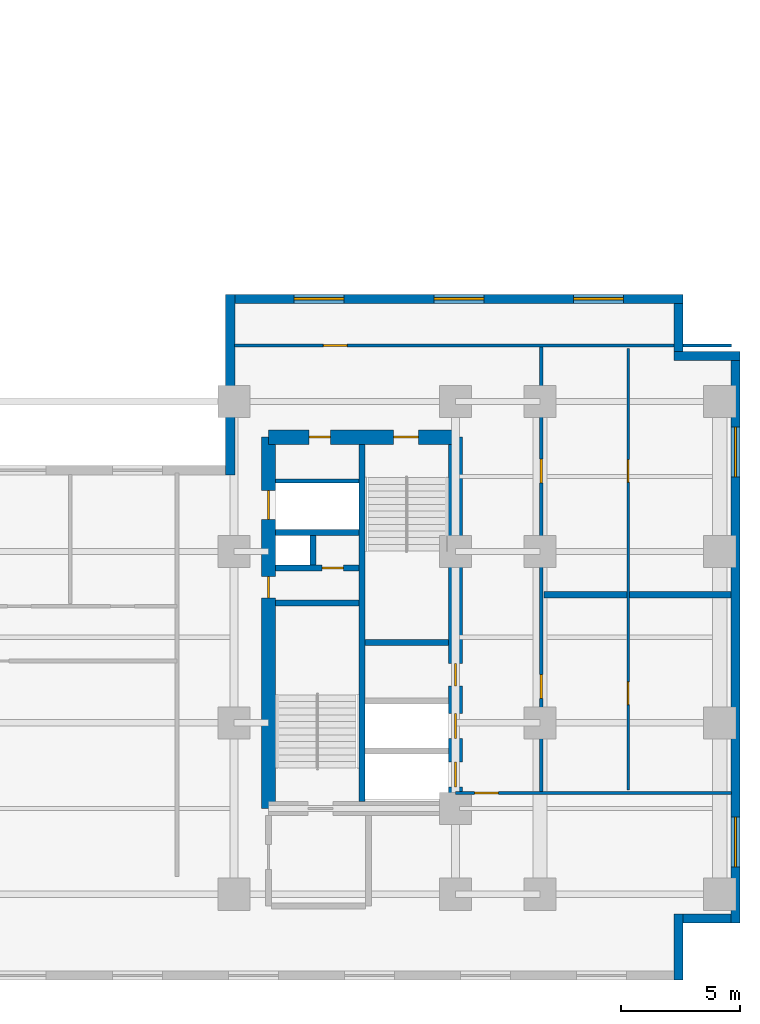
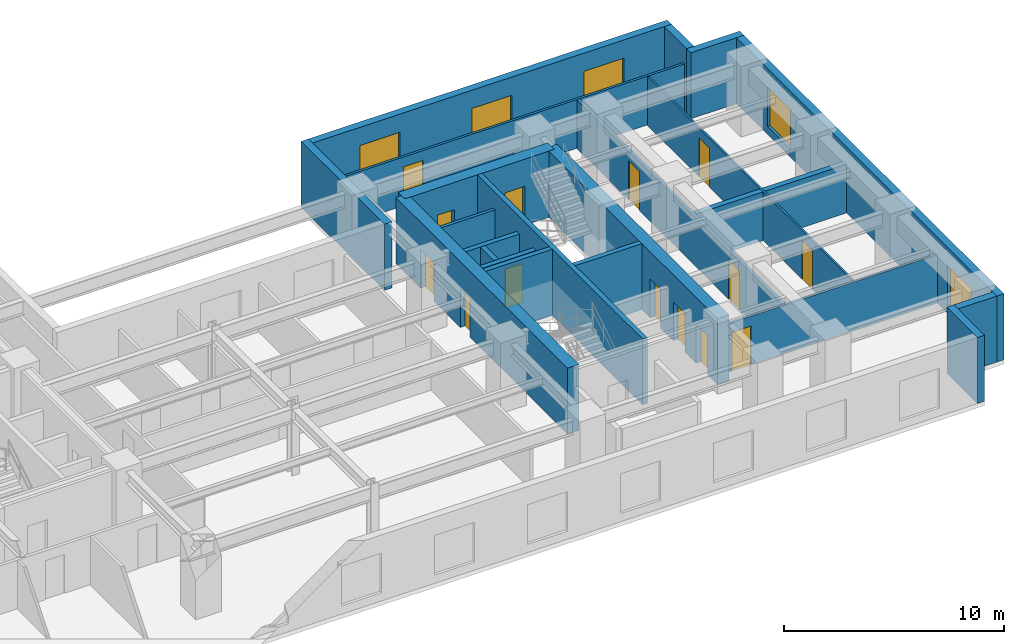
# One storey, part 5 of 9: 22 walls, 14 doors, 5 windows, 19 openings.
"""IFC4 building model written with IfcOpenShell, lengths in metres."""

from ifc_helpers import new_model, entity, si_unit, converted_unit, direction, frame, origin_with_axes, origin_2d_with_axis, place, context, subcontext, project, spatial, polyline, rectangle, outline, extrude, material, layer, layer_set, type_object, element, fill, save


model = new_model("IFC4")

# Units and contexts
model_context = context("Model", 3, precision=1e-05, world=origin_with_axes(), true_north=direction((0.0, 1.0)))
body_context = subcontext(model_context, "Body", "Model", "MODEL_VIEW")
ifc_project = project(units=[si_unit("LENGTHUNIT", "METRE"), si_unit("AREAUNIT", "SQUARE_METRE"), si_unit("VOLUMEUNIT", "CUBIC_METRE"), converted_unit("PLANEANGLEUNIT", "DEGREE", entity("IfcPlaneAngleMeasure", 0.017453292519943295), si_unit("PLANEANGLEUNIT", "RADIAN"), dimensions=[0, 0, 0, 0, 0, 0, 0]), si_unit("MASSUNIT", "GRAM", prefix="KILO"), si_unit("THERMODYNAMICTEMPERATUREUNIT", "KELVIN")], contexts=[model_context])

# Site, building, storey
site_placement = place(None, origin_with_axes())
site = spatial("IfcSite", under=ifc_project, at=site_placement, CompositionType="ELEMENT")
building_placement = place(site_placement, origin_with_axes())
building = spatial("IfcBuilding", under=site, at=building_placement, Name="Varnlund Millrace Tower", CompositionType="ELEMENT")
storey_placement = place(building_placement, frame((0.0, 0.0, 71.7), z_axis=(0.0, 0.0, 1.0), x_axis=(1.0, 0.0, 0.0)))
storey = spatial("IfcBuildingStorey", under=building, at=storey_placement, Name="L17", CompositionType="ELEMENT", Elevation=71.7)

# Wall, openings, doors
ifc_material_1 = material(Name="Concrete C80/95", Category="concrete")
ifc_layer_1 = layer(ifc_material_1, 0.6, Name="Concrete C80/95")
ifc_layer_set_1 = layer_set([ifc_layer_1], Name="Concrete C80/95")
wall_type_1 = type_object("IfcWallType", Name="Type-CoreWall-Shear-600-C80", PredefinedType="SHEAR", material=ifc_layer_set_1)
wall_1_placement = place(storey_placement, frame((40.2, 7.2, 0.0), z_axis=(0.0, 0.0, 1.0), x_axis=(0.0, 1.0, 0.0)))
wall_1 = element("IfcWall", 1, at=wall_1_placement, inside=storey, type_object=wall_type_1, Name="Type-CoreWall-Shear-600-C80", PredefinedType="SHEAR", context=body_context, shape_type="SweptSolid", body=[
    extrude(outline(polyline([(0.0, -0.3), (15.6, -0.3), (15.6, 0.3), (0.0, 0.3), (0.0, -0.3)])), origin_with_axes(), (0.0, 0.0, 1.0), 3.66),
])
opening_1_placement = place(wall_1_placement, frame((12.75, 0.0, 0.0), z_axis=(0.0, 0.0, 1.0), x_axis=(1.0, 0.0, 0.0)))
opening_1 = element("IfcOpeningElement", 2, at=opening_1_placement, cuts=wall_1, Name="Opening L17:LD-SRV2", PredefinedType="OPENING", context=body_context, shape_type="SweptSolid", body=[
    extrude(rectangle(XDim=1.2, YDim=0.62, at=origin_2d_with_axis()), origin_with_axes(), (0.0, 0.0, 1.0), 2.15),
])
opening_2_placement = place(wall_1_placement, frame((9.3, 0.0, 0.0), z_axis=(0.0, 0.0, 1.0), x_axis=(1.0, 0.0, 0.0)))
opening_2 = element("IfcOpeningElement", 3, at=opening_2_placement, cuts=wall_1, Name="Opening L17:DR-CB-JAN", PredefinedType="OPENING", context=body_context, shape_type="SweptSolid", body=[
    extrude(rectangle(XDim=0.9, YDim=0.62, at=origin_2d_with_axis()), origin_with_axes(), (0.0, 0.0, 1.0), 2.15),
])
ifc_material_2 = material(Name="Fire-rated hollow steel service closet door", Category="steel")
door_type_1 = type_object("IfcDoorType", Name="Type-FireDoor-Closet-900X2150", OperationType="NOTDEFINED", PredefinedType="DOOR", material=ifc_material_2)
door_1_placement = place(wall_1_placement, frame((9.3, 0.0, 0.0), z_axis=(0.0, 0.0, 1.0), x_axis=(1.0, 0.0, 0.0)))
door_1 = element("IfcDoor", 4, at=door_1_placement, inside=storey, type_object=door_type_1, Name="Type-FireDoor-Closet-900X2150", OperationType="SINGLE_SWING_RIGHT", OverallHeight=2.15, OverallWidth=0.9, PredefinedType="DOOR", context=body_context, shape_type="SweptSolid", body=[
    extrude(rectangle(XDim=0.9, YDim=0.09, at=origin_2d_with_axis()), origin_with_axes(), (0.0, 0.0, 1.0), 2.15),
])
fill(opening_2, door_1)
ifc_material_3 = material(Name="Heavy-duty freight sliding landing door")
door_type_2 = type_object("IfcDoorType", Name="Type-LiftLandingDoor-Service-1200X2150", OperationType="NOTDEFINED", PredefinedType="DOOR", material=ifc_material_3)
door_2_placement = place(wall_1_placement, frame((12.75, 0.0, 0.0), z_axis=(0.0, 0.0, 1.0), x_axis=(1.0, 0.0, 0.0)))
door_2 = element("IfcDoor", 5, at=door_2_placement, inside=storey, type_object=door_type_2, Name="Type-LiftLandingDoor-Service-1200X2150", OperationType="DOUBLE_DOOR_SLIDING", OverallHeight=2.15, OverallWidth=1.2, PredefinedType="DOOR", context=body_context, shape_type="SweptSolid", body=[
    extrude(rectangle(XDim=1.2, YDim=0.09, at=origin_2d_with_axis()), origin_with_axes(), (0.0, 0.0, 1.0), 2.15),
])
fill(opening_1, door_2)

wall_2_placement = place(storey_placement, frame((40.2, 22.8, 0.0), z_axis=(0.0, 0.0, 1.0), x_axis=(1.0, 0.0, 0.0)))
wall_2 = element("IfcWall", 6, at=wall_2_placement, inside=storey, type_object=wall_type_1, Name="Type-CoreWall-Shear-600-C80", PredefinedType="SHEAR", context=body_context, shape_type="SweptSolid", body=[
    extrude(outline(polyline([(0.0, -0.3), (7.85, -0.3), (7.85, 0.3), (0.0, 0.3), (0.0, -0.3)])), origin_with_axes(), (0.0, 0.0, 1.0), 3.66),
])
opening_3_placement = place(wall_2_placement, frame((5.775, 0.0, 0.0), z_axis=(0.0, 0.0, 1.0), x_axis=(1.0, 0.0, 0.0)))
opening_3 = element("IfcOpeningElement", 7, at=opening_3_placement, cuts=wall_2, Name="Opening L17:DR-STB2", PredefinedType="OPENING", context=body_context, shape_type="SweptSolid", body=[
    extrude(rectangle(XDim=1.05, YDim=0.62, at=origin_2d_with_axis()), origin_with_axes(), (0.0, 0.0, 1.0), 2.15),
])
opening_4_placement = place(wall_2_placement, frame((2.15, 0.0, 0.0), z_axis=(0.0, 0.0, 1.0), x_axis=(1.0, 0.0, 0.0)))
opening_4 = element("IfcOpeningElement", 8, at=opening_4_placement, cuts=wall_2, Name="Opening L17:DR-CB-NW", PredefinedType="OPENING", context=body_context, shape_type="SweptSolid", body=[
    extrude(rectangle(XDim=0.9, YDim=0.62, at=origin_2d_with_axis()), origin_with_axes(), (0.0, 0.0, 1.0), 2.15),
])
door_3_placement = place(wall_2_placement, frame((2.15, 0.0, 0.0), z_axis=(0.0, 0.0, 1.0), x_axis=(1.0, 0.0, 0.0)))
door_3 = element("IfcDoor", 9, at=door_3_placement, inside=storey, type_object=door_type_1, Name="Type-FireDoor-Closet-900X2150", OperationType="SINGLE_SWING_LEFT", OverallHeight=2.15, OverallWidth=0.9, PredefinedType="DOOR", context=body_context, shape_type="SweptSolid", body=[
    extrude(rectangle(XDim=0.9, YDim=0.09, at=origin_2d_with_axis()), origin_with_axes(), (0.0, 0.0, 1.0), 2.15),
])
fill(opening_4, door_3)
ifc_material_4 = material(Name="Fire-rated hollow steel door", Category="steel")
door_type_3 = type_object("IfcDoorType", Name="Type-FireDoor-Stair-1050X2150", OperationType="NOTDEFINED", PredefinedType="DOOR", material=ifc_material_4)
door_4_placement = place(wall_2_placement, frame((5.775, 0.0, 0.0), z_axis=(0.0, 0.0, 1.0), x_axis=(1.0, 0.0, 0.0)))
door_4 = element("IfcDoor", 10, at=door_4_placement, inside=storey, type_object=door_type_3, Name="Type-FireDoor-Stair-1050X2150", OperationType="SINGLE_SWING_RIGHT", OverallHeight=2.15, OverallWidth=1.05, PredefinedType="DOOR", context=body_context, shape_type="SweptSolid", body=[
    extrude(rectangle(XDim=1.05, YDim=0.09, at=origin_2d_with_axis()), origin_with_axes(), (0.0, 0.0, 1.0), 2.15),
])
fill(opening_3, door_4)

wall_3_placement = place(storey_placement, frame((48.05, 7.2, 0.0), z_axis=(0.0, 0.0, 1.0), x_axis=(0.0, 1.0, 0.0)))
wall_3 = element("IfcWall", 11, at=wall_3_placement, inside=storey, type_object=wall_type_1, Name="Type-CoreWall-Shear-600-C80", PredefinedType="SHEAR", context=body_context, shape_type="SweptSolid", body=[
    extrude(outline(polyline([(0.0, -0.3), (15.6, -0.3), (15.6, 0.3), (0.0, 0.3), (0.0, -0.3)])), origin_with_axes(), (0.0, 0.0, 1.0), 3.66),
])
opening_5_placement = place(wall_3_placement, frame((1.425, 0.0, 0.0), z_axis=(0.0, 0.0, 1.0), x_axis=(1.0, 0.0, 0.0)))
opening_5 = element("IfcOpeningElement", 12, at=opening_5_placement, cuts=wall_3, Name="Opening L17:LD-ELV-L3", PredefinedType="OPENING", context=body_context, shape_type="SweptSolid", body=[
    extrude(rectangle(XDim=1.05, YDim=0.62, at=origin_2d_with_axis()), origin_with_axes(), (0.0, 0.0, 1.0), 2.15),
])
opening_6_placement = place(wall_3_placement, frame((3.475, 0.0, 0.0), z_axis=(0.0, 0.0, 1.0), x_axis=(1.0, 0.0, 0.0)))
opening_6 = element("IfcOpeningElement", 13, at=opening_6_placement, cuts=wall_3, Name="Opening L17:LD-ELV-L4", PredefinedType="OPENING", context=body_context, shape_type="SweptSolid", body=[
    extrude(rectangle(XDim=1.05, YDim=0.62, at=origin_2d_with_axis()), origin_with_axes(), (0.0, 0.0, 1.0), 2.15),
])
opening_7_placement = place(wall_3_placement, frame((5.625, 0.0, 0.0), z_axis=(0.0, 0.0, 1.0), x_axis=(1.0, 0.0, 0.0)))
opening_7 = element("IfcOpeningElement", 14, at=opening_7_placement, cuts=wall_3, Name="Opening L17:DR-CB-WC", PredefinedType="OPENING", context=body_context, shape_type="SweptSolid", body=[
    extrude(rectangle(XDim=0.95, YDim=0.62, at=origin_2d_with_axis()), origin_with_axes(), (0.0, 0.0, 1.0), 2.15),
])
ifc_material_5 = material(Name="Fire-rated hollow steel core service door", Category="steel")
door_type_4 = type_object("IfcDoorType", Name="Type-FireDoor-Service-950X2150", OperationType="NOTDEFINED", PredefinedType="DOOR", material=ifc_material_5)
door_5_placement = place(wall_3_placement, frame((5.625, 0.0, 0.0), z_axis=(0.0, 0.0, 1.0), x_axis=(1.0, 0.0, 0.0)))
door_5 = element("IfcDoor", 15, at=door_5_placement, inside=storey, type_object=door_type_4, Name="Type-FireDoor-Service-950X2150", OperationType="SINGLE_SWING_LEFT", OverallHeight=2.15, OverallWidth=0.95, PredefinedType="DOOR", context=body_context, shape_type="SweptSolid", body=[
    extrude(rectangle(XDim=0.95, YDim=0.09, at=origin_2d_with_axis()), origin_with_axes(), (0.0, 0.0, 1.0), 2.15),
])
fill(opening_7, door_5)
ifc_material_6 = material(Name="Architectural bronze sliding landing door")
door_type_5 = type_object("IfcDoorType", Name="Type-LiftLandingDoor-Compact-1050X2150", OperationType="NOTDEFINED", PredefinedType="DOOR", material=ifc_material_6)
door_6_placement = place(wall_3_placement, frame((1.425, 0.0, 0.0), z_axis=(0.0, 0.0, 1.0), x_axis=(1.0, 0.0, 0.0)))
door_6 = element("IfcDoor", 16, at=door_6_placement, inside=storey, type_object=door_type_5, Name="Type-LiftLandingDoor-Compact-1050X2150", OperationType="SLIDING_TO_LEFT", OverallHeight=2.15, OverallWidth=1.05, PredefinedType="DOOR", context=body_context, shape_type="SweptSolid", body=[
    extrude(rectangle(XDim=1.05, YDim=0.09, at=origin_2d_with_axis()), origin_with_axes(), (0.0, 0.0, 1.0), 2.15),
])
fill(opening_5, door_6)
door_7_placement = place(wall_3_placement, frame((3.475, 0.0, 0.0), z_axis=(0.0, 0.0, 1.0), x_axis=(1.0, 0.0, 0.0)))
door_7 = element("IfcDoor", 17, at=door_7_placement, inside=storey, type_object=door_type_5, Name="Type-LiftLandingDoor-Compact-1050X2150", OperationType="SLIDING_TO_RIGHT", OverallHeight=2.15, OverallWidth=1.05, PredefinedType="DOOR", context=body_context, shape_type="SweptSolid", body=[
    extrude(rectangle(XDim=1.05, YDim=0.09, at=origin_2d_with_axis()), origin_with_axes(), (0.0, 0.0, 1.0), 2.15),
])
fill(opening_6, door_7)

# Wall
ifc_material_7 = material(Name="Precast concrete C50/60", Category="concrete")
ifc_layer_2 = layer(ifc_material_7, 0.38, Name="Precast concrete C50/60")
ifc_layer_set_2 = layer_set([ifc_layer_2], Name="Precast concrete C50/60")
wall_type_2 = type_object("IfcWallType", Name="Type-ExtWall-Precast-Tube-380", PredefinedType="SOLIDWALL", material=ifc_layer_set_2)
wall_4_placement = place(storey_placement, frame((38.59, 21.22, 0.0), z_axis=(0.0, 0.0, 1.0), x_axis=(0.0, 1.0, 0.0)))
element("IfcWall", 18, at=wall_4_placement, inside=storey, type_object=wall_type_2, Name="Type-ExtWall-Precast-Tube-380", PredefinedType="SOLIDWALL", context=body_context, shape_type="SweptSolid", body=[
    extrude(outline(polyline([(0.0, -0.19), (7.58, -0.19), (7.58, 0.19), (0.0, 0.19), (0.0, -0.19)])), origin_with_axes(), (0.0, 0.0, 1.0), 3.66),
])

# Wall, openings, windows
wall_5_placement = place(storey_placement, frame((38.78, 28.61, 0.0), z_axis=(0.0, 0.0, 1.0), x_axis=(1.0, 0.0, 0.0)))
wall_5 = element("IfcWall", 19, at=wall_5_placement, inside=storey, type_object=wall_type_2, Name="Type-ExtWall-Precast-Tube-380", PredefinedType="SOLIDWALL", context=body_context, shape_type="SweptSolid", body=[
    extrude(outline(polyline([(0.0, -0.19), (18.82, -0.19), (18.82, 0.19), (0.0, 0.19), (0.0, -0.19)])), origin_with_axes(), (0.0, 0.0, 1.0), 3.66),
])
opening_8_placement = place(wall_5_placement, frame((3.537, 0.0, 0.45), z_axis=(0.0, 0.0, 1.0), x_axis=(1.0, 0.0, 0.0)))
opening_8 = element("IfcOpeningElement", 20, at=opening_8_placement, cuts=wall_5, Name="Opening L17:WN-01", PredefinedType="OPENING", context=body_context, shape_type="SweptSolid", body=[
    extrude(rectangle(XDim=2.1, YDim=0.4, at=origin_2d_with_axis()), origin_with_axes(), (0.0, 0.0, 1.0), 2.2),
])
opening_9_placement = place(wall_5_placement, frame((9.41, 0.0, 0.45), z_axis=(0.0, 0.0, 1.0), x_axis=(1.0, 0.0, 0.0)))
opening_9 = element("IfcOpeningElement", 21, at=opening_9_placement, cuts=wall_5, Name="Opening L17:WN-02", PredefinedType="OPENING", context=body_context, shape_type="SweptSolid", body=[
    extrude(rectangle(XDim=2.1, YDim=0.4, at=origin_2d_with_axis()), origin_with_axes(), (0.0, 0.0, 1.0), 2.2),
])
opening_10_placement = place(wall_5_placement, frame((15.283, 0.0, 0.45), z_axis=(0.0, 0.0, 1.0), x_axis=(1.0, 0.0, 0.0)))
opening_10 = element("IfcOpeningElement", 22, at=opening_10_placement, cuts=wall_5, Name="Opening L17:WN-03", PredefinedType="OPENING", context=body_context, shape_type="SweptSolid", body=[
    extrude(rectangle(XDim=2.1, YDim=0.4, at=origin_2d_with_axis()), origin_with_axes(), (0.0, 0.0, 1.0), 2.2),
])
ifc_material_8 = material(Name="Argon low-e triple glazing in thermally broken bronze frame", Category="glass")
window_type = type_object("IfcWindowType", Name="Type-Window-Punched-2100X2200", PartitioningType="SINGLE_PANEL", PredefinedType="WINDOW", material=ifc_material_8)
window_1_placement = place(wall_5_placement, frame((3.537, 0.0, 0.45), z_axis=(0.0, 0.0, 1.0), x_axis=(1.0, 0.0, 0.0)))
window_1 = element("IfcWindow", 23, at=window_1_placement, inside=storey, type_object=window_type, Name="Type-Window-Punched-2100X2200", OverallHeight=2.2, OverallWidth=2.1, PredefinedType="WINDOW", context=body_context, shape_type="SweptSolid", body=[
    extrude(rectangle(XDim=2.1, YDim=0.09, at=origin_2d_with_axis()), origin_with_axes(), (0.0, 0.0, 1.0), 2.2),
])
fill(opening_8, window_1)
window_2_placement = place(wall_5_placement, frame((9.41, 0.0, 0.45), z_axis=(0.0, 0.0, 1.0), x_axis=(1.0, 0.0, 0.0)))
window_2 = element("IfcWindow", 24, at=window_2_placement, inside=storey, type_object=window_type, Name="Type-Window-Punched-2100X2200", OverallHeight=2.2, OverallWidth=2.1, PredefinedType="WINDOW", context=body_context, shape_type="SweptSolid", body=[
    extrude(rectangle(XDim=2.1, YDim=0.09, at=origin_2d_with_axis()), origin_with_axes(), (0.0, 0.0, 1.0), 2.2),
])
fill(opening_9, window_2)
window_3_placement = place(wall_5_placement, frame((15.283, 0.0, 0.45), z_axis=(0.0, 0.0, 1.0), x_axis=(1.0, 0.0, 0.0)))
window_3 = element("IfcWindow", 25, at=window_3_placement, inside=storey, type_object=window_type, Name="Type-Window-Punched-2100X2200", OverallHeight=2.2, OverallWidth=2.1, PredefinedType="WINDOW", context=body_context, shape_type="SweptSolid", body=[
    extrude(rectangle(XDim=2.1, YDim=0.09, at=origin_2d_with_axis()), origin_with_axes(), (0.0, 0.0, 1.0), 2.2),
])
fill(opening_10, window_3)

# Walls
wall_6_placement = place(storey_placement, frame((57.41, 28.42, 0.0), z_axis=(0.0, 0.0, 1.0), x_axis=(0.0, -1.0, 0.0)))
element("IfcWall", 26, at=wall_6_placement, inside=storey, type_object=wall_type_2, Name="Type-ExtWall-Precast-Tube-380", PredefinedType="SOLIDWALL", context=body_context, shape_type="SweptSolid", body=[
    extrude(outline(polyline([(0.0, -0.19), (2.02, -0.19), (2.02, 0.19), (0.0, 0.19), (0.0, -0.19)])), origin_with_axes(), (0.0, 0.0, 1.0), 3.66),
])
wall_7_placement = place(storey_placement, frame((57.22, 26.21, 0.0), z_axis=(0.0, 0.0, 1.0), x_axis=(1.0, 0.0, 0.0)))
element("IfcWall", 27, at=wall_7_placement, inside=storey, type_object=wall_type_2, Name="Type-ExtWall-Precast-Tube-380", PredefinedType="SOLIDWALL", context=body_context, shape_type="SweptSolid", body=[
    extrude(outline(polyline([(0.0, -0.19), (2.78, -0.19), (2.78, 0.19), (0.0, 0.19), (0.0, -0.19)])), origin_with_axes(), (0.0, 0.0, 1.0), 3.66),
])

# Wall, openings, windows
wall_8_placement = place(storey_placement, frame((59.81, 26.02, 0.0), z_axis=(0.0, 0.0, 1.0), x_axis=(0.0, -1.0, 0.0)))
wall_8 = element("IfcWall", 28, at=wall_8_placement, inside=storey, type_object=wall_type_2, Name="Type-ExtWall-Precast-Tube-380", PredefinedType="SOLIDWALL", context=body_context, shape_type="SweptSolid", body=[
    extrude(outline(polyline([(0.0, -0.19), (23.62, -0.19), (23.62, 0.19), (0.0, 0.19), (0.0, -0.19)])), origin_with_axes(), (0.0, 0.0, 1.0), 3.66),
])
opening_11_placement = place(wall_8_placement, frame((3.853, 0.0, 0.45), z_axis=(0.0, 0.0, 1.0), x_axis=(1.0, 0.0, 0.0)))
opening_11 = element("IfcOpeningElement", 29, at=opening_11_placement, cuts=wall_8, Name="Opening L17:WN-04", PredefinedType="OPENING", context=body_context, shape_type="SweptSolid", body=[
    extrude(rectangle(XDim=2.1, YDim=0.4, at=origin_2d_with_axis()), origin_with_axes(), (0.0, 0.0, 1.0), 2.2),
])
opening_12_placement = place(wall_8_placement, frame((20.218, 0.0, 0.45), z_axis=(0.0, 0.0, 1.0), x_axis=(1.0, 0.0, 0.0)))
opening_12 = element("IfcOpeningElement", 30, at=opening_12_placement, cuts=wall_8, Name="Opening L17:WN-05", PredefinedType="OPENING", context=body_context, shape_type="SweptSolid", body=[
    extrude(rectangle(XDim=2.1, YDim=0.4, at=origin_2d_with_axis()), origin_with_axes(), (0.0, 0.0, 1.0), 2.2),
])
window_4_placement = place(wall_8_placement, frame((3.853, 0.0, 0.45), z_axis=(0.0, 0.0, 1.0), x_axis=(1.0, 0.0, 0.0)))
window_4 = element("IfcWindow", 31, at=window_4_placement, inside=storey, type_object=window_type, Name="Type-Window-Punched-2100X2200", OverallHeight=2.2, OverallWidth=2.1, PredefinedType="WINDOW", context=body_context, shape_type="SweptSolid", body=[
    extrude(rectangle(XDim=2.1, YDim=0.09, at=origin_2d_with_axis()), origin_with_axes(), (0.0, 0.0, 1.0), 2.2),
])
fill(opening_11, window_4)
window_5_placement = place(wall_8_placement, frame((20.218, 0.0, 0.45), z_axis=(0.0, 0.0, 1.0), x_axis=(1.0, 0.0, 0.0)))
window_5 = element("IfcWindow", 32, at=window_5_placement, inside=storey, type_object=window_type, Name="Type-Window-Punched-2100X2200", OverallHeight=2.2, OverallWidth=2.1, PredefinedType="WINDOW", context=body_context, shape_type="SweptSolid", body=[
    extrude(rectangle(XDim=2.1, YDim=0.09, at=origin_2d_with_axis()), origin_with_axes(), (0.0, 0.0, 1.0), 2.2),
])
fill(opening_12, window_5)

# Walls
wall_9_placement = place(storey_placement, frame((59.62, 2.59, 0.0), z_axis=(0.0, 0.0, 1.0), x_axis=(-1.0, 0.0, 0.0)))
element("IfcWall", 33, at=wall_9_placement, inside=storey, type_object=wall_type_2, Name="Type-ExtWall-Precast-Tube-380", PredefinedType="SOLIDWALL", context=body_context, shape_type="SweptSolid", body=[
    extrude(outline(polyline([(0.0, -0.19), (2.02, -0.19), (2.02, 0.19), (0.0, 0.19), (0.0, -0.19)])), origin_with_axes(), (0.0, 0.0, 1.0), 3.66),
])
wall_10_placement = place(storey_placement, frame((57.41, 2.78, 0.0), z_axis=(0.0, 0.0, 1.0), x_axis=(0.0, -1.0, 0.0)))
element("IfcWall", 34, at=wall_10_placement, inside=storey, type_object=wall_type_2, Name="Type-ExtWall-Precast-Tube-380", PredefinedType="SOLIDWALL", context=body_context, shape_type="SweptSolid", body=[
    extrude(outline(polyline([(0.0, -0.19), (2.78, -0.19), (2.78, 0.19), (0.0, 0.19), (0.0, -0.19)])), origin_with_axes(), (0.0, 0.0, 1.0), 3.66),
])
ifc_material_9 = material(Name="Double-stud STC-60 conference acoustic partition", Category="gypsum")
ifc_layer_3 = layer(ifc_material_9, 0.28, Name="Double-stud STC-60 conference acoustic partition")
ifc_layer_set_3 = layer_set([ifc_layer_3], Name="Double-stud STC-60 conference acoustic partition")
wall_type_3 = type_object("IfcWallType", Name="Type-Partition-Acoustic-280", PredefinedType="PARTITIONING", material=ifc_layer_set_3)
wall_11_placement = place(storey_placement, frame((51.77, 16.175, 0.0), z_axis=(0.0, 0.0, 1.0), x_axis=(1.0, 0.0, 0.0)))
element("IfcWall", 35, at=wall_11_placement, inside=storey, type_object=wall_type_3, Name="Type-Partition-Acoustic-280", PredefinedType="PARTITIONING", context=body_context, shape_type="SweptSolid", body=[
    extrude(outline(polyline([(0.0, -0.14), (7.855, -0.14), (7.855, 0.14), (0.0, 0.14), (0.0, -0.14)])), origin_with_axes(), (0.0, 0.0, 1.0), 2.7),
])
ifc_material_10 = material(Name="Fire-rated gypsum board on cold-formed steel framing", Category="steel")
ifc_layer_4 = layer(ifc_material_10, 0.16, Name="Fire-rated gypsum board on cold-formed steel framing")
ifc_layer_set_4 = layer_set([ifc_layer_4], Name="Fire-rated gypsum board on cold-formed steel framing")
wall_type_4 = type_object("IfcWallType", Name="Type-Partition-Corridor-160", PredefinedType="PARTITIONING", material=ifc_layer_set_4)
wall_12_placement = place(storey_placement, frame((40.5, 20.96, 0.0), z_axis=(0.0, 0.0, 1.0), x_axis=(1.0, 0.0, 0.0)))
element("IfcWall", 36, at=wall_12_placement, inside=storey, type_object=wall_type_4, Name="Type-Partition-Corridor-160", PredefinedType="PARTITIONING", context=body_context, shape_type="SweptSolid", body=[
    extrude(outline(polyline([(0.0, -0.08), (3.5, -0.08), (3.5, 0.08), (0.0, 0.08), (0.0, -0.08)])), origin_with_axes(), (0.0, 0.0, 1.0), 2.7),
])

# Wall, openings, doors
wall_13_placement = place(storey_placement, frame((51.65, 7.85, 0.0), z_axis=(0.0, 0.0, 1.0), x_axis=(0.0, 1.0, 0.0)))
wall_13 = element("IfcWall", 37, at=wall_13_placement, inside=storey, type_object=wall_type_4, Name="Type-Partition-Corridor-160", PredefinedType="PARTITIONING", context=body_context, shape_type="SweptSolid", body=[
    extrude(outline(polyline([(0.0, -0.08), (18.8, -0.08), (18.8, 0.08), (0.0, 0.08), (0.0, -0.08)])), origin_with_axes(), (0.0, 0.0, 1.0), 2.7),
])
opening_13_placement = place(wall_13_placement, frame((4.473, 0.0, 0.0), z_axis=(0.0, 0.0, 1.0), x_axis=(1.0, 0.0, 0.0)))
opening_13 = element("IfcOpeningElement", 38, at=opening_13_placement, cuts=wall_13, Name="Opening L17:DR-WB-01", PredefinedType="OPENING", context=body_context, shape_type="SweptSolid", body=[
    extrude(rectangle(XDim=1.0, YDim=0.18, at=origin_2d_with_axis()), origin_with_axes(), (0.0, 0.0, 1.0), 2.15),
])
opening_14_placement = place(wall_13_placement, frame((13.5325, 0.0, 0.0), z_axis=(0.0, 0.0, 1.0), x_axis=(1.0, 0.0, 0.0)))
opening_14 = element("IfcOpeningElement", 39, at=opening_14_placement, cuts=wall_13, Name="Opening L17:DR-WB-02", PredefinedType="OPENING", context=body_context, shape_type="SweptSolid", body=[
    extrude(rectangle(XDim=1.0, YDim=0.18, at=origin_2d_with_axis()), origin_with_axes(), (0.0, 0.0, 1.0), 2.15),
])
ifc_material_11 = material(Name="Solid-core white oak and bronze frame door")
door_type_6 = type_object("IfcDoorType", Name="Type-IntDoor-Office-1000X2150", OperationType="NOTDEFINED", PredefinedType="DOOR", material=ifc_material_11)
door_8_placement = place(wall_13_placement, frame((4.473, 0.0, 0.0), z_axis=(0.0, 0.0, 1.0), x_axis=(1.0, 0.0, 0.0)))
door_8 = element("IfcDoor", 40, at=door_8_placement, inside=storey, type_object=door_type_6, Name="Type-IntDoor-Office-1000X2150", OperationType="SINGLE_SWING_LEFT", OverallHeight=2.15, OverallWidth=1.0, PredefinedType="DOOR", context=body_context, shape_type="SweptSolid", body=[
    extrude(rectangle(XDim=1.0, YDim=0.09, at=origin_2d_with_axis()), origin_with_axes(), (0.0, 0.0, 1.0), 2.15),
])
fill(opening_13, door_8)
door_9_placement = place(wall_13_placement, frame((13.5325, 0.0, 0.0), z_axis=(0.0, 0.0, 1.0), x_axis=(1.0, 0.0, 0.0)))
door_9 = element("IfcDoor", 41, at=door_9_placement, inside=storey, type_object=door_type_6, Name="Type-IntDoor-Office-1000X2150", OperationType="SINGLE_SWING_RIGHT", OverallHeight=2.15, OverallWidth=1.0, PredefinedType="DOOR", context=body_context, shape_type="SweptSolid", body=[
    extrude(rectangle(XDim=1.0, YDim=0.09, at=origin_2d_with_axis()), origin_with_axes(), (0.0, 0.0, 1.0), 2.15),
])
fill(opening_14, door_9)

ifc_material_12 = material(Name="Architectural bronze and acoustic glass office front", Category="glass")
ifc_layer_5 = layer(ifc_material_12, 0.1, Name="Architectural bronze and acoustic glass office front")
ifc_layer_set_5 = layer_set([ifc_layer_5], Name="Architectural bronze and acoustic glass office front")
wall_type_5 = type_object("IfcWallType", Name="Type-Partition-Glazed-100", PredefinedType="PARTITIONING", material=ifc_layer_set_5)
wall_14_placement = place(storey_placement, frame((55.3, 7.98, 0.0), z_axis=(0.0, 0.0, 1.0), x_axis=(0.0, 1.0, 0.0)))
wall_14 = element("IfcWall", 42, at=wall_14_placement, inside=storey, type_object=wall_type_5, Name="Type-Partition-Glazed-100", PredefinedType="PARTITIONING", context=body_context, shape_type="SweptSolid", body=[
    extrude(outline(polyline([(0.0, -0.05), (18.54, -0.05), (18.54, 0.05), (0.0, 0.05), (0.0, -0.05)])), origin_with_axes(), (0.0, 0.0, 1.0), 2.7),
])
opening_15_placement = place(wall_14_placement, frame((4.0625, 0.0, 0.0), z_axis=(0.0, 0.0, 1.0), x_axis=(1.0, 0.0, 0.0)))
opening_15 = element("IfcOpeningElement", 43, at=opening_15_placement, cuts=wall_14, Name="Opening L17:DR-WB-S01", PredefinedType="OPENING", context=body_context, shape_type="SweptSolid", body=[
    extrude(rectangle(XDim=0.95, YDim=0.12, at=origin_2d_with_axis()), origin_with_axes(), (0.0, 0.0, 1.0), 2.15),
])
opening_16_placement = place(wall_14_placement, frame((13.4025, 0.0, 0.0), z_axis=(0.0, 0.0, 1.0), x_axis=(1.0, 0.0, 0.0)))
opening_16 = element("IfcOpeningElement", 44, at=opening_16_placement, cuts=wall_14, Name="Opening L17:DR-WB-S02", PredefinedType="OPENING", context=body_context, shape_type="SweptSolid", body=[
    extrude(rectangle(XDim=0.95, YDim=0.12, at=origin_2d_with_axis()), origin_with_axes(), (0.0, 0.0, 1.0), 2.15),
])
ifc_material_13 = material(Name="Solid-core acoustic office door")
door_type_7 = type_object("IfcDoorType", Name="Type-IntDoor-Tenant-950X2150", OperationType="NOTDEFINED", PredefinedType="DOOR", material=ifc_material_13)
door_10_placement = place(wall_14_placement, frame((4.0625, 0.0, 0.0), z_axis=(0.0, 0.0, 1.0), x_axis=(1.0, 0.0, 0.0)))
door_10 = element("IfcDoor", 45, at=door_10_placement, inside=storey, type_object=door_type_7, Name="Type-IntDoor-Tenant-950X2150", OperationType="SINGLE_SWING_LEFT", OverallHeight=2.15, OverallWidth=0.95, PredefinedType="DOOR", context=body_context, shape_type="SweptSolid", body=[
    extrude(rectangle(XDim=0.95, YDim=0.06, at=origin_2d_with_axis()), origin_with_axes(), (0.0, 0.0, 1.0), 2.15),
])
fill(opening_15, door_10)
door_11_placement = place(wall_14_placement, frame((13.4025, 0.0, 0.0), z_axis=(0.0, 0.0, 1.0), x_axis=(1.0, 0.0, 0.0)))
door_11 = element("IfcDoor", 46, at=door_11_placement, inside=storey, type_object=door_type_7, Name="Type-IntDoor-Tenant-950X2150", OperationType="SINGLE_SWING_LEFT", OverallHeight=2.15, OverallWidth=0.95, PredefinedType="DOOR", context=body_context, shape_type="SweptSolid", body=[
    extrude(rectangle(XDim=0.95, YDim=0.06, at=origin_2d_with_axis()), origin_with_axes(), (0.0, 0.0, 1.0), 2.15),
])
fill(opening_16, door_11)

# Wall, opening, door
ifc_material_14 = material(Name="Gypsum board tenant partition", Category="gypsum")
ifc_layer_6 = layer(ifc_material_14, 0.125, Name="Gypsum board tenant partition")
ifc_layer_set_6 = layer_set([ifc_layer_6], Name="Gypsum board tenant partition")
wall_type_6 = type_object("IfcWallType", Name="Type-Partition-Tenant-125", PredefinedType="PARTITIONING", material=ifc_layer_set_6)
wall_15_placement = place(storey_placement, frame((59.64, 7.85, 0.0), z_axis=(0.0, 0.0, 1.0), x_axis=(-1.0, 0.0, 0.0)))
wall_15 = element("IfcWall", 47, at=wall_15_placement, inside=storey, type_object=wall_type_6, Name="Type-Partition-Tenant-125", PredefinedType="PARTITIONING", context=body_context, shape_type="SweptSolid", body=[
    extrude(outline(polyline([(0.0, -0.0625), (11.59, -0.0625), (11.59, 0.0625), (0.0, 0.0625), (0.0, -0.0625)])), origin_with_axes(), (0.0, 0.0, 1.0), 2.7),
])
opening_17_placement = place(wall_15_placement, frame((10.29, 0.0, 0.0), z_axis=(0.0, 0.0, 1.0), x_axis=(1.0, 0.0, 0.0)))
opening_17 = element("IfcOpeningElement", 48, at=opening_17_placement, cuts=wall_15, Name="Opening L17:DR-WBS-01", PredefinedType="OPENING", context=body_context, shape_type="SweptSolid", body=[
    extrude(rectangle(XDim=1.0, YDim=0.145, at=origin_2d_with_axis()), origin_with_axes(), (0.0, 0.0, 1.0), 2.15),
])
door_12_placement = place(wall_15_placement, frame((10.29, 0.0, 0.0), z_axis=(0.0, 0.0, 1.0), x_axis=(1.0, 0.0, 0.0)))
door_12 = element("IfcDoor", 49, at=door_12_placement, inside=storey, type_object=door_type_6, Name="Type-IntDoor-Office-1000X2150", OperationType="SINGLE_SWING_LEFT", OverallHeight=2.15, OverallWidth=1.0, PredefinedType="DOOR", context=body_context, shape_type="SweptSolid", body=[
    extrude(rectangle(XDim=1.0, YDim=0.075, at=origin_2d_with_axis()), origin_with_axes(), (0.0, 0.0, 1.0), 2.15),
])
fill(opening_17, door_12)

wall_16_placement = place(storey_placement, frame((38.76, 26.65, 0.0), z_axis=(0.0, 0.0, 1.0), x_axis=(1.0, 0.0, 0.0)))
wall_16 = element("IfcWall", 50, at=wall_16_placement, inside=storey, type_object=wall_type_6, Name="Type-Partition-Tenant-125", PredefinedType="PARTITIONING", context=body_context, shape_type="SweptSolid", body=[
    extrude(outline(polyline([(0.0, -0.0625), (20.88, -0.0625), (20.88, 0.0625), (0.0, 0.0625), (0.0, -0.0625)])), origin_with_axes(), (0.0, 0.0, 1.0), 2.7),
])
opening_18_placement = place(wall_16_placement, frame((4.24, 0.0, 0.0), z_axis=(0.0, 0.0, 1.0), x_axis=(1.0, 0.0, 0.0)))
opening_18 = element("IfcOpeningElement", 51, at=opening_18_placement, cuts=wall_16, Name="Opening L17:DR-WBN-01", PredefinedType="OPENING", context=body_context, shape_type="SweptSolid", body=[
    extrude(rectangle(XDim=1.0, YDim=0.145, at=origin_2d_with_axis()), origin_with_axes(), (0.0, 0.0, 1.0), 2.15),
])
door_13_placement = place(wall_16_placement, frame((4.24, 0.0, 0.0), z_axis=(0.0, 0.0, 1.0), x_axis=(1.0, 0.0, 0.0)))
door_13 = element("IfcDoor", 52, at=door_13_placement, inside=storey, type_object=door_type_6, Name="Type-IntDoor-Office-1000X2150", OperationType="SINGLE_SWING_RIGHT", OverallHeight=2.15, OverallWidth=1.0, PredefinedType="DOOR", context=body_context, shape_type="SweptSolid", body=[
    extrude(rectangle(XDim=1.0, YDim=0.075, at=origin_2d_with_axis()), origin_with_axes(), (0.0, 0.0, 1.0), 2.15),
])
fill(opening_18, door_13)

ifc_material_15 = material(Name="Concrete C60/75", Category="concrete")
ifc_layer_7 = layer(ifc_material_15, 0.25, Name="Concrete C60/75")
ifc_layer_set_7 = layer_set([ifc_layer_7], Name="Concrete C60/75")
wall_type_7 = type_object("IfcWallType", Name="Type-ShaftWall-Fire-250", PredefinedType="SOLIDWALL", material=ifc_layer_set_7)
wall_17_placement = place(storey_placement, frame((40.5, 17.3, 0.0), z_axis=(0.0, 0.0, 1.0), x_axis=(1.0, 0.0, 0.0)))
wall_17 = element("IfcWall", 53, at=wall_17_placement, inside=storey, type_object=wall_type_7, Name="Type-ShaftWall-Fire-250", PredefinedType="SOLIDWALL", context=body_context, shape_type="SweptSolid", body=[
    extrude(outline(polyline([(0.0, -0.125), (3.5, -0.125), (3.5, 0.125), (0.0, 0.125), (0.0, -0.125)])), origin_with_axes(), (0.0, 0.0, 1.0), 2.7),
])
opening_19_placement = place(wall_17_placement, frame((2.4, 0.0, 0.0), z_axis=(0.0, 0.0, 1.0), x_axis=(1.0, 0.0, 0.0)))
opening_19 = element("IfcOpeningElement", 54, at=opening_19_placement, cuts=wall_17, Name="Opening L17:DR-CB-ELC", PredefinedType="OPENING", context=body_context, shape_type="SweptSolid", body=[
    extrude(rectangle(XDim=0.9, YDim=0.27, at=origin_2d_with_axis()), origin_with_axes(), (0.0, 0.0, 1.0), 2.15),
])
door_14_placement = place(wall_17_placement, frame((2.4, 0.0, 0.0), z_axis=(0.0, 0.0, 1.0), x_axis=(1.0, 0.0, 0.0)))
door_14 = element("IfcDoor", 55, at=door_14_placement, inside=storey, type_object=door_type_1, Name="Type-FireDoor-Closet-900X2150", OperationType="SINGLE_SWING_LEFT", OverallHeight=2.15, OverallWidth=0.9, PredefinedType="DOOR", context=body_context, shape_type="SweptSolid", body=[
    extrude(rectangle(XDim=0.9, YDim=0.09, at=origin_2d_with_axis()), origin_with_axes(), (0.0, 0.0, 1.0), 2.15),
])
fill(opening_19, door_14)

# Walls
wall_18_placement = place(storey_placement, frame((40.5, 18.8, 0.0), z_axis=(0.0, 0.0, 1.0), x_axis=(1.0, 0.0, 0.0)))
element("IfcWall", 56, at=wall_18_placement, inside=storey, type_object=wall_type_7, Name="Type-ShaftWall-Fire-250", PredefinedType="SOLIDWALL", context=body_context, shape_type="SweptSolid", body=[
    extrude(outline(polyline([(0.0, -0.125), (3.5, -0.125), (3.5, 0.125), (0.0, 0.125), (0.0, -0.125)])), origin_with_axes(), (0.0, 0.0, 1.0), 2.7),
])
wall_19_placement = place(storey_placement, frame((42.075, 17.43, 0.0), z_axis=(0.0, 0.0, 1.0), x_axis=(0.0, 1.0, 0.0)))
element("IfcWall", 57, at=wall_19_placement, inside=storey, type_object=wall_type_7, Name="Type-ShaftWall-Fire-250", PredefinedType="SOLIDWALL", context=body_context, shape_type="SweptSolid", body=[
    extrude(outline(polyline([(0.0, -0.125), (1.24, -0.125), (1.24, 0.125), (0.0, 0.125), (0.0, -0.125)])), origin_with_axes(), (0.0, 0.0, 1.0), 2.7),
])
wall_type_8 = type_object("IfcWallType", Name="Type-StairWall-Shear-250", PredefinedType="SHEAR", material=ifc_layer_set_7)
wall_20_placement = place(storey_placement, frame((44.125, 7.5, 0.0), z_axis=(0.0, 0.0, 1.0), x_axis=(0.0, 1.0, 0.0)))
element("IfcWall", 58, at=wall_20_placement, inside=storey, type_object=wall_type_8, Name="Type-StairWall-Shear-250", PredefinedType="SHEAR", context=body_context, shape_type="SweptSolid", body=[
    extrude(outline(polyline([(0.0, -0.125), (15.0, -0.125), (15.0, 0.125), (0.0, 0.125), (0.0, -0.125)])), origin_with_axes(), (0.0, 0.0, 1.0), 3.66),
])
for number, where, z_axis, x_axis, name in (
    (59, (40.5, 15.825, 0.0), (0.0, 0.0, 1.0), (1.0, 0.0, 0.0), "Type-StairWall-Shear-250"),
    (60, (44.25, 14.175, 0.0), (0.0, 0.0, 1.0), (1.0, 0.0, 0.0), "Type-StairWall-Shear-250"),
):
    element("IfcWall", number, at=place(storey_placement, frame(where, z_axis=z_axis, x_axis=x_axis)), inside=storey, type_object=wall_type_8, Name=name, PredefinedType="SHEAR", context=body_context, shape_type="SweptSolid", body=[
        extrude(outline(polyline([(0.0, -0.125), (3.5, -0.125), (3.5, 0.125), (0.0, 0.125), (0.0, -0.125)])), origin_with_axes(), (0.0, 0.0, 1.0), 3.66),
    ])

save(model, "model.ifc")
